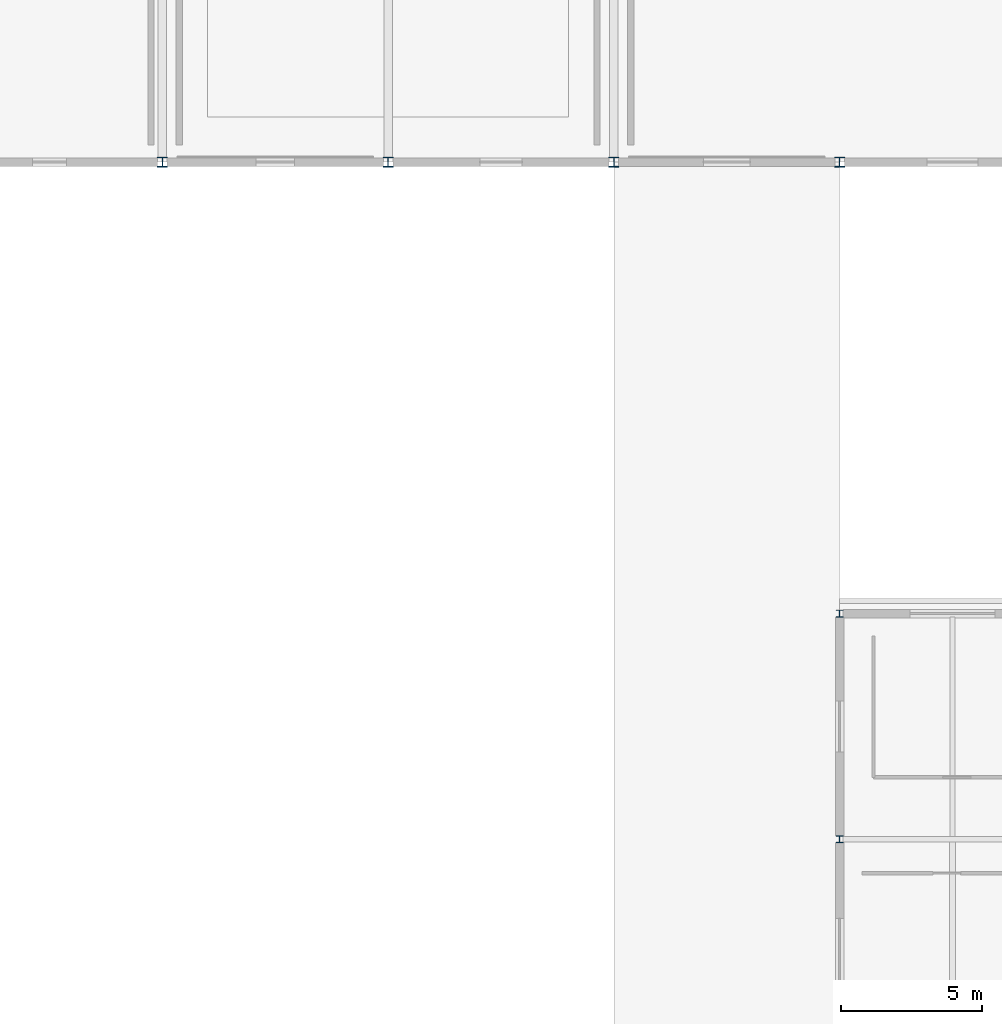
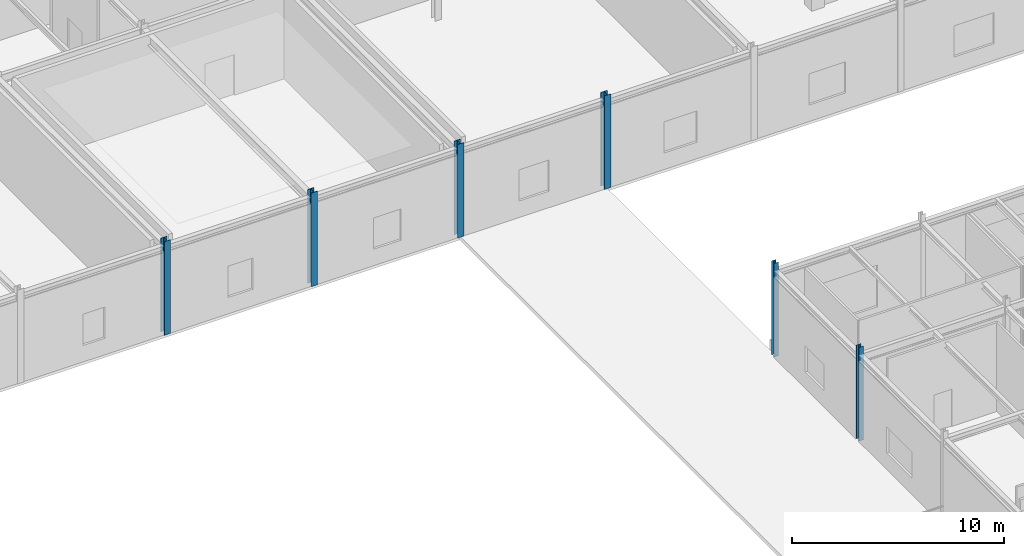
# One storey, part 8 of 108: 6 columns.
"""IFC4 building model written with IfcOpenShell, lengths in metres."""

from ifc_helpers import new_model, si_unit, direction, frame, origin, origin_2d, place, context, subcontext, project, spatial, i_section, extrude, material, material_profile, profile_set, type_object, element, save


model = new_model("IFC4")

# Units and contexts
model_context = context("Model", 3, precision=1e-05, world=origin(), true_north=direction((0.0, 1.0)))
body_context = subcontext(model_context, "Body", "Model", "MODEL_VIEW")
ifc_project = project(units=[si_unit("LENGTHUNIT", "METRE"), si_unit("AREAUNIT", "SQUARE_METRE"), si_unit("VOLUMEUNIT", "CUBIC_METRE"), si_unit("PLANEANGLEUNIT", "RADIAN"), si_unit("MASSUNIT", "GRAM", prefix="KILO")], contexts=[model_context])

# Site, building, storey
site_placement = place(None, origin())
site = spatial("IfcSite", under=ifc_project, at=site_placement, CompositionType="ELEMENT")
building_placement = place(site_placement, origin())
building = spatial("IfcBuilding", under=site, at=building_placement, Name="Zhaolan Boulevard Law Courts", CompositionType="ELEMENT")
storey_placement = place(building_placement, frame((0.0, 0.0, 10.800048828125)))
storey = spatial("IfcBuildingStorey", under=building, at=storey_placement, Name="L02", CompositionType="ELEMENT", Elevation=10.800048828125)

# Columns
ifc_material_1 = material(Name="Structural steel Q355B", Category="steel")
ifc_material_profile_1 = material_profile(ifc_material_1, i_section(OverallWidth=0.25, OverallDepth=0.25, WebThickness=0.009033203125, FlangeThickness=0.013916015625, FilletRadius=0.01611328125, at=origin_2d()), Name="HW250x250")
ifc_profile_set_1 = profile_set([ifc_material_profile_1], Name="Structural steel Q355B")
column_type_1 = type_object("IfcColumnType", Name="COL HW250", PredefinedType="COLUMN", material=ifc_profile_set_1)
for number, where, z_axis, x_axis, name in (
    (1, (124.0, 38.0, 0.0), (0.0, 0.0, 1.0), (1.0, 0.0, 0.0), "Column C-16F (L02)"),
    (2, (124.0, 46.0, 0.0), (0.0, 0.0, 1.0), (1.0, 0.0, 0.0), "Column C-16G (L02)"),
):
    element("IfcColumn", number, at=place(storey_placement, frame(where, z_axis=z_axis, x_axis=x_axis)), inside=storey, type_object=column_type_1, Name=name, PredefinedType="COLUMN", context=body_context, shape_type="SweptSolid", body=[
        extrude(i_section(OverallWidth=0.25, OverallDepth=0.25, WebThickness=0.009033203125, FlangeThickness=0.013916015625, FilletRadius=0.01611328125, at=origin_2d()), origin(), (0.0, 0.0, 1.0), 5.39990234375),
    ])
ifc_material_2 = material(Name="Structural steel Q355B", Category="steel")
ifc_material_profile_2 = material_profile(ifc_material_2, i_section(OverallWidth=0.35009765625, OverallDepth=0.35009765625, WebThickness=0.011962890625, FlangeThickness=0.01904296875, FilletRadius=0.02001953125, at=origin_2d()), Name="HW350x350")
ifc_profile_set_2 = profile_set([ifc_material_profile_2], Name="Structural steel Q355B")
column_type_2 = type_object("IfcColumnType", Name="COL HW350", PredefinedType="COLUMN", material=ifc_profile_set_2)
for number, where, z_axis, x_axis, name in (
    (3, (100.0, 62.0, 0.0), (0.0, 0.0, 1.0), (1.0, 0.0, 0.0), "Column C-13J (L02)"),
    (4, (108.0, 62.0, 0.0), (0.0, 0.0, 1.0), (1.0, 0.0, 0.0), "Column C-14J (L02)"),
    (5, (116.0, 62.0, 0.0), (0.0, 0.0, 1.0), (1.0, 0.0, 0.0), "Column C-15J (L02)"),
    (6, (124.0, 62.0, 0.0), (0.0, 0.0, 1.0), (1.0, 0.0, 0.0), "Column C-16J (L02)"),
):
    element("IfcColumn", number, at=place(storey_placement, frame(where, z_axis=z_axis, x_axis=x_axis)), inside=storey, type_object=column_type_2, Name=name, PredefinedType="COLUMN", context=body_context, shape_type="SweptSolid", body=[
        extrude(i_section(OverallWidth=0.35009765625, OverallDepth=0.35009765625, WebThickness=0.011962890625, FlangeThickness=0.01904296875, FilletRadius=0.02001953125, at=origin_2d()), origin(), (0.0, 0.0, 1.0), 5.39990234375),
    ])

save(model, "model.ifc")
